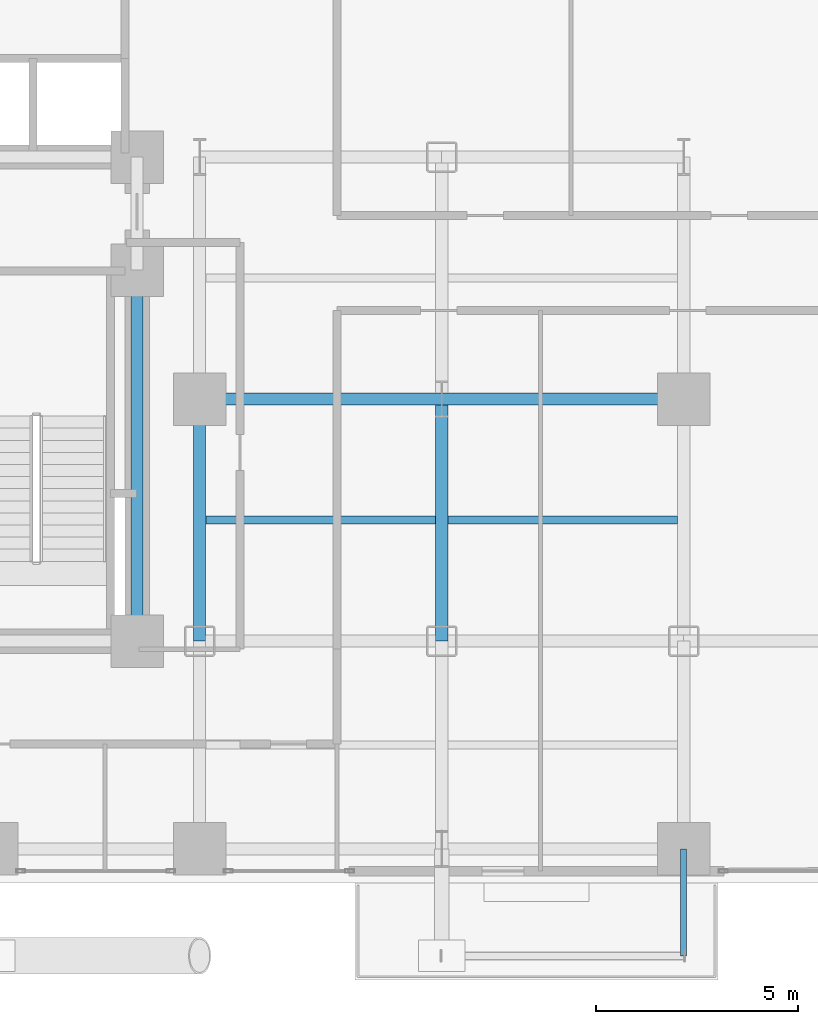
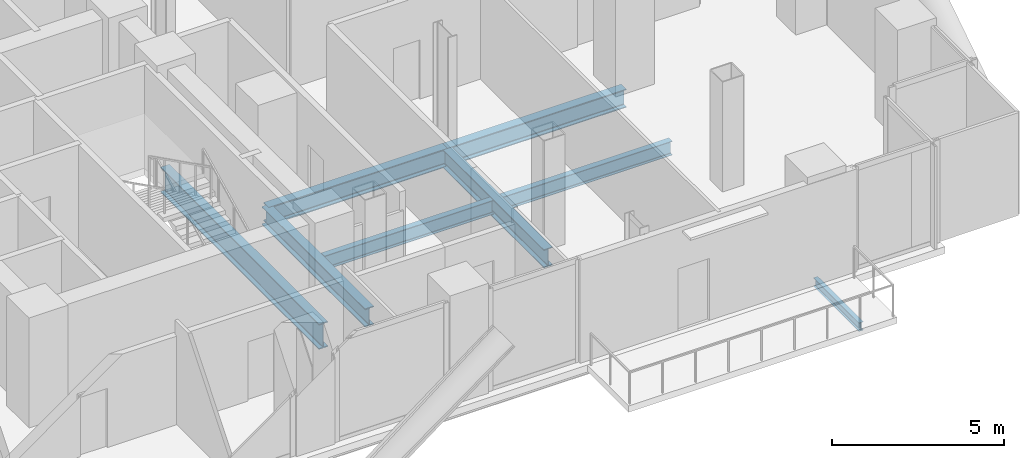
# One storey, part 9 of 27: 8 beams.
"""IFC4 building model written with IfcOpenShell, lengths in metres."""

from ifc_helpers import new_model, si_unit, direction, frame, origin, origin_2d, place, context, subcontext, project, spatial, i_section, extrude, material, material_profile, profile_set, type_object, element, save


model = new_model("IFC4")

# Units and contexts
model_context = context("Model", 3, precision=1e-05, world=origin(), true_north=direction((0.0, 1.0)))
body_context = subcontext(model_context, "Body", "Model", "MODEL_VIEW")
ifc_project = project(units=[si_unit("LENGTHUNIT", "METRE"), si_unit("AREAUNIT", "SQUARE_METRE"), si_unit("VOLUMEUNIT", "CUBIC_METRE"), si_unit("PLANEANGLEUNIT", "RADIAN"), si_unit("MASSUNIT", "GRAM", prefix="KILO"), si_unit("THERMODYNAMICTEMPERATUREUNIT", "KELVIN"), si_unit("POWERUNIT", "WATT")], contexts=[model_context])

# Site, building, storey
site_placement = place(None, origin())
site = spatial("IfcSite", under=ifc_project, at=site_placement, CompositionType="ELEMENT")
building_placement = place(site_placement, origin())
building = spatial("IfcBuilding", under=site, at=building_placement, Name="Svarakhadi Broadcast Tower", CompositionType="ELEMENT")
storey_placement = place(building_placement, frame((0.0, 0.0, 87.0)))
storey = spatial("IfcBuildingStorey", under=building, at=storey_placement, Name="L20", CompositionType="ELEMENT", Elevation=87.0)

# Beams
ifc_material_1 = material(Name="Steel S355J2 (IS 2062 E350C)", Category="steel")
ifc_material_profile_1 = material_profile(ifc_material_1, i_section(OverallWidth=0.199951171875, OverallDepth=0.5, WebThickness=0.01025390625, FlangeThickness=0.01611328125, FilletRadius=0.02099609375, at=origin_2d()), Name="NPB 500x200x91")
ifc_profile_set_1 = profile_set([ifc_material_profile_1], Name="Steel S355J2 (IS 2062 E350C)")
beam_type_1 = type_object("IfcBeamType", Name="Beam_NPB500", PredefinedType="BEAM", material=ifc_profile_set_1)
for number, where, z_axis, x_axis, name in (
    (1, (35.31005859375, 9.0, -0.5), (1.0, 0.0, 0.0), (0.0, 1.0, 0.0), "L20 Secondary Composite Beam SB023"),
    (2, (41.31005859375, 9.0, -0.5), (1.0, 0.0, 0.0), (0.0, 1.0, 0.0), "L20 Secondary Composite Beam SB026"),
):
    element("IfcBeam", number, at=place(storey_placement, frame(where, z_axis=z_axis, x_axis=x_axis)), inside=storey, type_object=beam_type_1, Name=name, PredefinedType="BEAM", context=body_context, shape_type="SweptSolid", body=[
        extrude(i_section(OverallWidth=0.199951171875, OverallDepth=0.5, WebThickness=0.01025390625, FlangeThickness=0.01611328125, FilletRadius=0.02099609375, at=origin_2d()), origin(), (0.0, 0.0, 1.0), 5.679931640625),
    ])
ifc_material_profile_2 = material_profile(ifc_material_1, i_section(OverallWidth=0.300048828125, OverallDepth=0.64990234375, WebThickness=0.01611328125, FlangeThickness=0.031005859375, FilletRadius=0.027099609375, at=origin_2d()), Name="WPB 650x300x225")
ifc_profile_set_2 = profile_set([ifc_material_profile_2], Name="Steel S355J2 (IS 2062 E350C)")
beam_type_2 = type_object("IfcBeamType", Name="Girder_WPB650", PredefinedType="USERDEFINED", material=ifc_profile_set_2)
for number, where, z_axis, x_axis, name in (
    (3, (35.14990234375, 12.0, -0.574951171875), (1.0, 0.0, 0.0), (0.0, 1.0, 0.0), "L20 Primary E-W Girder G023"),
    (4, (41.14990234375, 12.0, -0.574951171875), (1.0, 0.0, 0.0), (0.0, 1.0, 0.0), "L20 Primary E-W Girder G024"),
    (5, (35.14990234375, 6.0, -0.574951171875), (0.0, 1.0, 0.0), (-1.0, 0.0, 0.0), "L20 Primary N-S Girder G077"),
    (6, (41.14990234375, 6.0, -0.574951171875), (0.0, 1.0, 0.0), (-1.0, 0.0, 0.0), "L20 Primary N-S Girder G080"),
):
    element("IfcBeam", number, at=place(storey_placement, frame(where, z_axis=z_axis, x_axis=x_axis)), inside=storey, type_object=beam_type_2, Name=name, ObjectType="GIRDER", PredefinedType="USERDEFINED", context=body_context, shape_type="SweptSolid", body=[
        extrude(i_section(OverallWidth=0.300048828125, OverallDepth=0.64990234375, WebThickness=0.01611328125, FlangeThickness=0.031005859375, FilletRadius=0.027099609375, at=origin_2d()), origin(), (0.0, 0.0, 1.0), 6.0),
    ])
ifc_material_2 = material(Name="Steel S460ML (IS 2062 E450BR)", Category="steel")
ifc_material_profile_3 = material_profile(ifc_material_2, i_section(OverallWidth=0.300048828125, OverallDepth=0.89990234375, WebThickness=0.0185546875, FlangeThickness=0.034912109375, FilletRadius=0.030029296875, at=origin_2d()), Name="WPB 900x300x291")
ifc_profile_set_3 = profile_set([ifc_material_profile_3], Name="Steel S460ML (IS 2062 E450BR)")
beam_type_3 = type_object("IfcBeamType", Name="Girder_WPB900", PredefinedType="USERDEFINED", material=ifc_profile_set_3)
beam_1_placement = place(storey_placement, frame((33.60009765625, 6.0, -0.699951171875), z_axis=(0.0, 1.0, 0.0), x_axis=(-1.0, 0.0, 0.0)))
element("IfcBeam", 7, at=beam_1_placement, inside=storey, type_object=beam_type_3, Name="L20 Primary N-S Girder G074", ObjectType="GIRDER", PredefinedType="USERDEFINED", context=body_context, shape_type="SweptSolid", body=[
    extrude(i_section(OverallWidth=0.300048828125, OverallDepth=0.89990234375, WebThickness=0.0185546875, FlangeThickness=0.034912109375, FilletRadius=0.030029296875, at=origin_2d()), origin(), (0.0, 0.0, 1.0), 9.199951171875),
])
ifc_material_profile_4 = material_profile(ifc_material_1, i_section(OverallWidth=0.14990234375, OverallDepth=0.300048828125, WebThickness=0.007080078125, FlangeThickness=0.0107421875, FilletRadius=0.014892578125, at=origin_2d()), Name="NPB 300x150x37")
ifc_profile_set_4 = profile_set([ifc_material_profile_4], Name="Steel S355J2 (IS 2062 E350C)")
beam_type_4 = type_object("IfcBeamType", Name="Spandrel_NPB300", PredefinedType="SPANDREL", material=ifc_profile_set_4)
beam_2_placement = place(storey_placement, frame((47.14990234375, 0.85009765625, -0.39990234375), z_axis=(0.0, -1.0, 0.0), x_axis=(1.0, 0.0, 0.0)))
element("IfcBeam", 8, at=beam_2_placement, inside=storey, type_object=beam_type_4, Name="L20 Balcony Cantilever Bracket 1B", PredefinedType="SPANDREL", context=body_context, shape_type="SweptSolid", body=[
    extrude(i_section(OverallWidth=0.14990234375, OverallDepth=0.300048828125, WebThickness=0.007080078125, FlangeThickness=0.0107421875, FilletRadius=0.014892578125, at=origin_2d()), origin(), (0.0, 0.0, 1.0), 2.650146484375),
])

save(model, "model.ifc")
